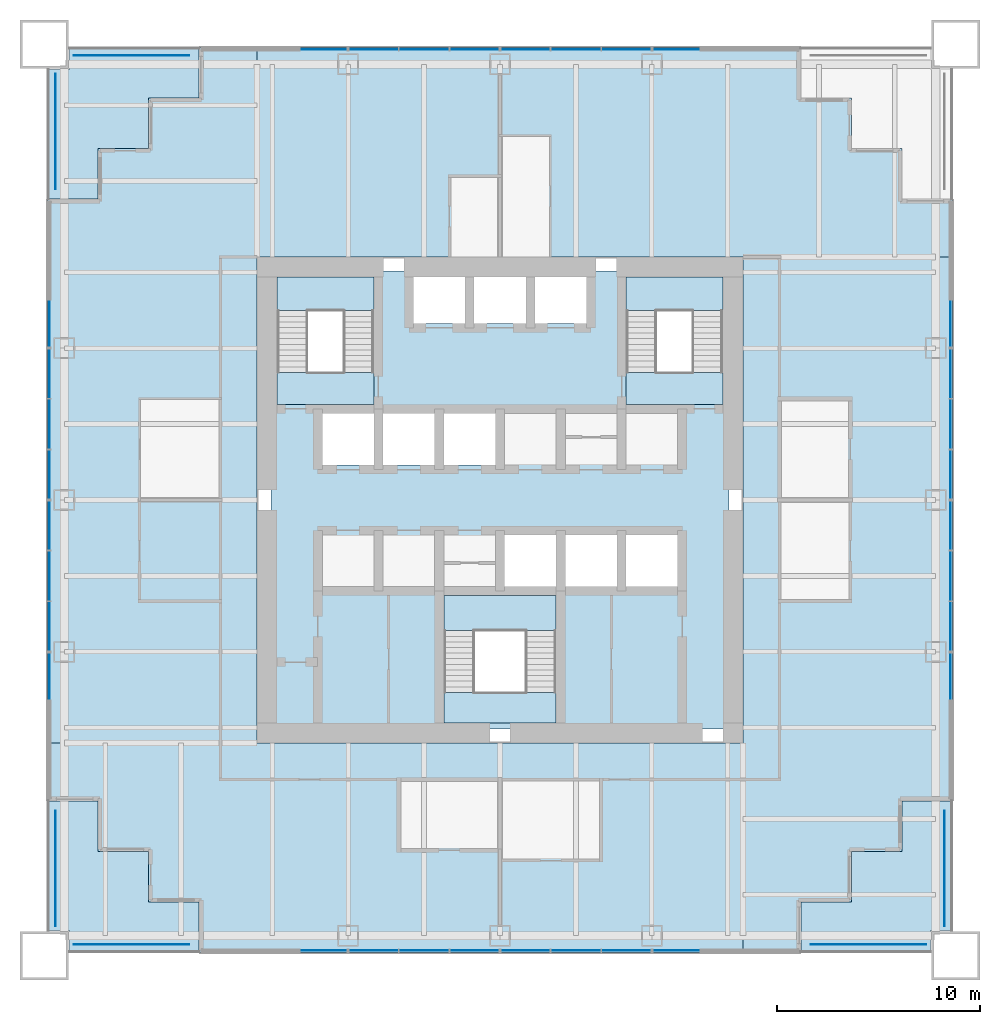
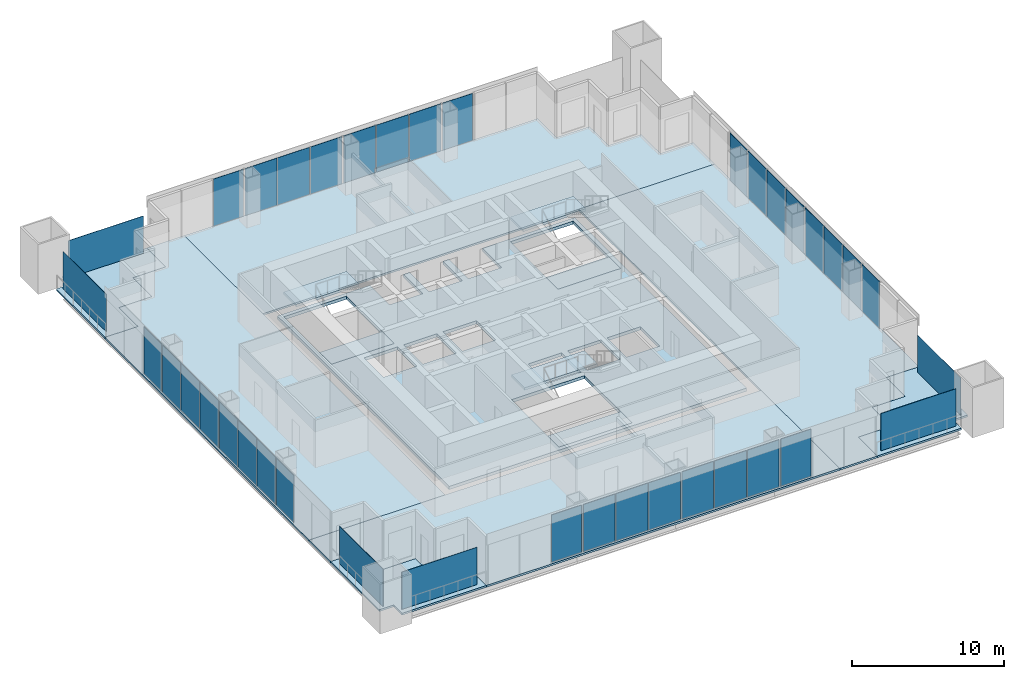
# One storey, part 7 of 13: 38 plates, 14 slabs, 19 elements without a shape of their own.
"""IFC4 building model written with IfcOpenShell, lengths in metres."""

import ifcopenshell
import ifcopenshell.guid

model = None  # the IFC model being written
_history = None  # IfcOwnerHistory: only IFC2X3 demands one
_inside = {}  # id of a spatial element -> (the spatial element, [elements in it])
_under = {}  # id of a project, library or spatial element -> (it, [spatial elements below it])
_declared = {}  # id of a project -> (the project, [libraries it declares])
_typed = {}  # id of a type object -> (the type object, [elements of that type])
_made_of = {}  # id of a material, layer set ... -> (it, [elements and type objects made of it])


def new_model(schema):
    """Start an empty IFC model of exactly this schema.

    Asked for "IFC4X3", IfcOpenShell would pick the latest addendum, in which some entities
    have other attributes; the version numbers below select the first issue.
    IFC2X3 requires an IfcOwnerHistory on every rooted entity: one is made here for all.
    """
    global model, _history
    if schema == "IFC4X3":
        model = ifcopenshell.file(schema_version=(4, 3, 0, 0))
    else:
        model = ifcopenshell.file(schema=schema)
    _inside.clear()
    _under.clear()
    _declared.clear()
    _typed.clear()
    _made_of.clear()
    _history = None
    if model.schema == "IFC2X3":
        org = make("IfcOrganization", Name="unknown")
        user = make(
            "IfcPersonAndOrganization",
            ThePerson=make("IfcPerson", FamilyName="unknown"),
            TheOrganization=org,
        )
        app = make(
            "IfcApplication",
            ApplicationDeveloper=org,
            Version="unknown",
            ApplicationFullName="unknown",
            ApplicationIdentifier="unknown",
        )
        _history = make(
            "IfcOwnerHistory",
            OwningUser=user,
            OwningApplication=app,
            ChangeAction="ADDED",
            CreationDate=0,
        )
    return model


def make(cls, **values):
    """One entity of the class cls with the attributes given. An attribute that is None is left unset."""
    return model.create_entity(
        cls, **{name: value for name, value in values.items() if value is not None}
    )


def rooted(cls, **values):
    """An entity with a GlobalId (a new one), such as an element, a storey or a relation."""
    return make(cls, GlobalId=ifcopenshell.guid.new(), OwnerHistory=_history, **values)


def si_unit(unit_type, name, prefix=None):
    """IfcSIUnit, for example si_unit("LENGTHUNIT", "METRE", prefix="MILLI")."""
    return make("IfcSIUnit", UnitType=unit_type, Prefix=prefix, Name=name)


def assignment(units):
    """IfcUnitAssignment: the units of a project."""
    return None if units is None else make("IfcUnitAssignment", Units=units)


def point(xyz):
    """IfcCartesianPoint."""
    return None if xyz is None else make("IfcCartesianPoint", Coordinates=xyz)


def direction(xyz):
    """IfcDirection."""
    return None if xyz is None else make("IfcDirection", DirectionRatios=xyz)


def frame(location, z_axis=None, x_axis=None):
    """IfcAxis2Placement3D, a coordinate frame: its origin and axes. An axis left out is left unset."""
    return make(
        "IfcAxis2Placement3D",
        Location=point(location),
        Axis=direction(z_axis),
        RefDirection=direction(x_axis),
    )


def frame_2d(location, x_axis=None):
    """IfcAxis2Placement2D, a coordinate frame in the plane: its origin and x axis."""
    return make(
        "IfcAxis2Placement2D", Location=point(location), RefDirection=direction(x_axis)
    )


def origin():
    """The frame at (0, 0, 0) with its axes left unset."""
    return frame((0.0, 0.0, 0.0))


def origin_2d():
    """The frame at (0, 0) in the plane with its x axis left unset."""
    return frame_2d((0.0, 0.0))


def place(relative_to, where):
    """IfcLocalPlacement: puts the frame where relative to a parent placement (None: the world)."""
    return make(
        "IfcLocalPlacement", PlacementRelTo=relative_to, RelativePlacement=where
    )


def context(
    kind, dimensions, precision=None, world=None, true_north=None, identifier=None
):
    """IfcGeometricRepresentationContext, for example the 3D "Model" context."""
    return make(
        "IfcGeometricRepresentationContext",
        ContextIdentifier=identifier,
        ContextType=kind,
        CoordinateSpaceDimension=dimensions,
        Precision=precision,
        WorldCoordinateSystem=world,
        TrueNorth=true_north,
    )


def subcontext(parent, identifier, kind, view, scale=None):
    """IfcGeometricRepresentationSubContext, for example "Body" below "Model"."""
    return make(
        "IfcGeometricRepresentationSubContext",
        ContextIdentifier=identifier,
        ContextType=kind,
        ParentContext=parent,
        TargetScale=scale,
        TargetView=view,
    )


def project(units=None, contexts=None):
    """IfcProject with its units and contexts."""
    return rooted(
        "IfcProject",
        Name="project",
        RepresentationContexts=contexts,
        UnitsInContext=assignment(units),
    )


def spatial(cls, under=None, at=None, **own):
    """A site, building, storey or space (cls), placed at a placement, below another one or the project."""
    s = rooted(cls, ObjectPlacement=at, **own)
    if under is not None:
        _under.setdefault(under.id(), (under, []))[1].append(s)
    return s


def polyline(points):
    """IfcPolyline through the points."""
    return make("IfcPolyline", Points=[point(p) for p in points])


def profile(cls, at=None, kind="AREA", **sizes):
    """A parametric profile (cls). Its sizes go by their IFC names, for example OverallWidth=200.0."""
    return make(cls, ProfileType=kind, Position=at, **sizes)


def rectangle(**sizes):
    """IfcRectangleProfileDef."""
    return profile("IfcRectangleProfileDef", **sizes)


def outline(outer, holes=None, kind="AREA"):
    """IfcArbitraryClosedProfileDef: a profile drawn as a closed curve; with holes, ...WithVoids."""
    if holes is None:
        return make("IfcArbitraryClosedProfileDef", ProfileType=kind, OuterCurve=outer)
    return make(
        "IfcArbitraryProfileDefWithVoids",
        ProfileType=kind,
        OuterCurve=outer,
        InnerCurves=holes,
    )


def extrude(swept, where, along, depth):
    """IfcExtrudedAreaSolid: the profile swept, set in the frame where, extruded along a direction by depth."""
    return make(
        "IfcExtrudedAreaSolid",
        SweptArea=swept,
        Position=where,
        ExtrudedDirection=direction(along),
        Depth=depth,
    )


def shape(context_of_items, identifier, shape_type, items):
    """IfcShapeRepresentation: the items that make up one representation, for example the "Body"."""
    return make(
        "IfcShapeRepresentation",
        ContextOfItems=context_of_items,
        RepresentationIdentifier=identifier,
        RepresentationType=shape_type,
        Items=items,
    )


def material(Name=None, Category=None):
    """IfcMaterial."""
    return make("IfcMaterial", Name=Name, Category=Category)


def layer(
    of_material, thickness, ventilated=None, Name=None, Category=None, Priority=None
):
    """IfcMaterialLayer: one layer of a wall or slab, of a material (None: an air gap)."""
    return make(
        "IfcMaterialLayer",
        Material=of_material,
        LayerThickness=thickness,
        IsVentilated=ventilated,
        Name=Name,
        Category=Category,
        Priority=Priority,
    )


def layer_set(layers, Name=None):
    """IfcMaterialLayerSet."""
    return make("IfcMaterialLayerSet", MaterialLayers=layers, LayerSetName=Name)


def made_of(thing, what):
    """Note that an element or type object is made of a material, layer set ...; save() writes the relation."""
    if what is not None:
        _made_of.setdefault(what.id(), (what, []))[1].append(thing)
    return thing


def type_object(cls, material=None, **own):
    """A type object (cls), such as IfcWallType, which elements share."""
    return made_of(rooted(cls, **own), material)


def element(
    cls,
    number,
    at=None,
    inside=None,
    cuts=None,
    type_object=None,
    material=None,
    context=None,
    identifier="Body",
    shape_type=None,
    held_by="IfcProductDefinitionShape",
    body=None,
    shapes=None,
    **own,
):
    """One element of the class cls, such as IfcWall. Its Tag is "e" and its number.

    at: its placement. inside: the storey or other place that contains it. cuts: it is an
    opening in that element (IfcRelVoidsElement). A single representation is given by context,
    identifier, shape_type and body (its items); several are given by shapes. held_by: the class
    of the entity that holds the representations. save() writes the other relations.
    """
    e = rooted(cls, Tag="e%d" % number, ObjectPlacement=at, **own)
    if body is not None:
        shapes = [shape(context, identifier, shape_type, body)]
    if shapes is not None:
        e.Representation = make(held_by, Representations=shapes)
    if inside is not None:
        _inside.setdefault(inside.id(), (inside, []))[1].append(e)
    if cuts is not None:
        rooted(
            "IfcRelVoidsElement", RelatingBuildingElement=cuts, RelatedOpeningElement=e
        )
    if type_object is not None:
        _typed.setdefault(type_object.id(), (type_object, []))[1].append(e)
    return made_of(e, material)


def aggregate(whole, parts):
    """IfcRelAggregates: a whole, such as a stair, and the parts it consists of."""
    return rooted("IfcRelAggregates", RelatingObject=whole, RelatedObjects=parts)


def save(model, path):
    """Write the relations noted so far, then the file.

    IfcRelAggregates (storeys below a building ...), IfcRelContainedInSpatialStructure (elements
    in a storey), IfcRelDefinesByType, IfcRelAssociatesMaterial and IfcRelDeclares: one each for
    every whole, place, type object, material and project.
    """
    for whole, parts in _under.values():
        aggregate(whole, parts)
    for where, things in _inside.values():
        rooted(
            "IfcRelContainedInSpatialStructure",
            RelatedElements=things,
            RelatingStructure=where,
        )
    for kind, things in _typed.values():
        rooted("IfcRelDefinesByType", RelatedObjects=things, RelatingType=kind)
    for what, things in _made_of.values():
        rooted("IfcRelAssociatesMaterial", RelatedObjects=things, RelatingMaterial=what)
    for by, libraries in _declared.values():
        rooted("IfcRelDeclares", RelatingContext=by, RelatedDefinitions=libraries)
    model.write(path)


model = new_model("IFC4")

# Units and contexts
model_context = context("Model", 3, precision=1e-05, world=origin(), true_north=direction((0.0, 1.0)))
body_context = subcontext(model_context, "Body", "Model", "MODEL_VIEW")
ifc_project = project(units=[si_unit("LENGTHUNIT", "METRE"), si_unit("AREAUNIT", "SQUARE_METRE"), si_unit("VOLUMEUNIT", "CUBIC_METRE"), si_unit("PLANEANGLEUNIT", "RADIAN"), si_unit("MASSUNIT", "GRAM", prefix="KILO")], contexts=[model_context])

# Site, building, storey
site_placement = place(None, origin())
site = spatial("IfcSite", under=ifc_project, at=site_placement, CompositionType="ELEMENT")
building_placement = place(site_placement, origin())
building = spatial("IfcBuilding", under=site, at=building_placement, Name="Tarangal Relay Tower", CompositionType="ELEMENT")
storey_placement = place(building_placement, frame((0.0, 0.0, 221.89990234375)))
storey = spatial("IfcBuildingStorey", under=building, at=storey_placement, Name="L47", CompositionType="ELEMENT", Elevation=221.89990234375)

# Slabs
ifc_material_1 = material(Name="Concrete fc' 35 MPa", Category="concrete")
ifc_layer_1 = layer(ifc_material_1, 0.25)
ifc_layer_set_1 = layer_set([ifc_layer_1], Name="Core floor slab 250")
slab_type_1 = type_object("IfcSlabType", Name="Core floor slab 250", PredefinedType="FLOOR", material=ifc_layer_set_1)
slab_1_placement = place(storey_placement, frame((0.0, 0.0, -0.25)))
element("IfcSlab", 1, at=slab_1_placement, inside=storey, type_object=slab_type_1, Name="Core floor slab L47", PredefinedType="FLOOR", context=body_context, shape_type="SweptSolid", body=[
    extrude(outline(polyline([(11.300048828125, 11.300048828125), (11.300048828125, -11.300048828125), (-11.300048828125, -11.300048828125), (-11.300048828125, 11.300048828125), (-4.27490234375, 11.300048828125), (-4.27490234375, 8.72509765625), (-1.72509765625, 8.72509765625), (-1.72509765625, 11.300048828125), (-1.27490234375, 11.300048828125), (-1.27490234375, 8.72509765625), (1.27490234375, 8.72509765625), (1.27490234375, 11.300048828125), (1.72509765625, 11.300048828125), (1.72509765625, 8.72509765625), (4.27490234375, 8.72509765625), (4.27490234375, 11.300048828125), (11.300048828125, 11.300048828125)]), holes=[polyline([(-6.22509765625, 4.27490234375), (-8.77490234375, 4.27490234375), (-8.77490234375, 1.72509765625), (-6.22509765625, 1.72509765625), (-6.22509765625, 4.27490234375)]), polyline([(-3.22509765625, 1.72509765625), (-3.22509765625, 4.27490234375), (-5.77490234375, 4.27490234375), (-5.77490234375, 1.72509765625), (-3.22509765625, 1.72509765625)]), polyline([(-0.22509765625, 1.72509765625), (-0.22509765625, 4.27490234375), (-2.77490234375, 4.27490234375), (-2.77490234375, 1.72509765625), (-0.22509765625, 1.72509765625)]), polyline([(-6.22509765625, 11.0), (-11.0, 11.0), (-11.0, 4.72509765625), (-6.22509765625, 4.72509765625), (-6.22509765625, 11.0)]), polyline([(2.77490234375, -4.72509765625), (-2.77490234375, -4.72509765625), (-2.77490234375, -11.0), (2.77490234375, -11.0), (2.77490234375, -4.72509765625)]), polyline([(2.77490234375, -4.27490234375), (2.77490234375, -1.72509765625), (0.22509765625, -1.72509765625), (0.22509765625, -4.27490234375), (2.77490234375, -4.27490234375)]), polyline([(5.77490234375, -4.27490234375), (5.77490234375, -1.72509765625), (3.22509765625, -1.72509765625), (3.22509765625, -4.27490234375), (5.77490234375, -4.27490234375)]), polyline([(8.77490234375, -1.72509765625), (6.22509765625, -1.72509765625), (6.22509765625, -4.27490234375), (8.77490234375, -4.27490234375), (8.77490234375, -1.72509765625)]), polyline([(11.0, 4.72509765625), (11.0, 11.0), (6.22509765625, 11.0), (6.22509765625, 4.72509765625), (11.0, 4.72509765625)])]), origin(), (0.0, 0.0, 1.0), 0.25),
])
ifc_layer_2 = layer(ifc_material_1, 0.14990234375)
ifc_layer_set_2 = layer_set([ifc_layer_2], Name="Floor slab 150")
slab_type_2 = type_object("IfcSlabType", Name="Floor slab 150", PredefinedType="FLOOR", material=ifc_layer_set_2)
slab_2_placement = place(storey_placement, frame((0.0, 0.0, -0.14990234375)))
element("IfcSlab", 2, at=slab_2_placement, inside=storey, type_object=slab_type_2, Name="Floor slab FS3 L47 north bay", PredefinedType="FLOOR", context=body_context, shape_type="SweptSolid", body=[
    extrude(outline(polyline([(14.85009765625, 22.35009765625), (14.85009765625, 19.85009765625), (17.35009765625, 19.85009765625), (17.35009765625, 17.35009765625), (19.85009765625, 17.35009765625), (19.85009765625, 14.85009765625), (22.35009765625, 14.85009765625), (22.35009765625, 12.0), (-12.0, 12.0), (-12.0, 22.35009765625), (14.85009765625, 22.35009765625)])), origin(), (0.0, 0.0, 1.0), 0.14990234375),
])
slab_3_placement = place(storey_placement, frame((0.0, 0.0, -0.14990234375)))
element("IfcSlab", 3, at=slab_3_placement, inside=storey, type_object=slab_type_2, Name="Floor slab FS3 L47 east bay", PredefinedType="FLOOR", context=body_context, shape_type="SweptSolid", body=[
    extrude(outline(polyline([(22.35009765625, -14.85009765625), (19.85009765625, -14.85009765625), (19.85009765625, -17.35009765625), (17.35009765625, -17.35009765625), (17.35009765625, -19.85009765625), (14.85009765625, -19.85009765625), (14.85009765625, -22.35009765625), (12.0, -22.35009765625), (12.0, 12.0), (22.35009765625, 12.0), (22.35009765625, -14.85009765625)])), origin(), (0.0, 0.0, 1.0), 0.14990234375),
])
slab_4_placement = place(storey_placement, frame((0.0, 0.0, -0.14990234375)))
element("IfcSlab", 4, at=slab_4_placement, inside=storey, type_object=slab_type_2, Name="Floor slab FS3 L47 south bay", PredefinedType="FLOOR", context=body_context, shape_type="SweptSolid", body=[
    extrude(outline(polyline([(-14.85009765625, -22.35009765625), (-14.85009765625, -19.85009765625), (-17.35009765625, -19.85009765625), (-17.35009765625, -17.35009765625), (-19.85009765625, -17.35009765625), (-19.85009765625, -14.85009765625), (-22.35009765625, -14.85009765625), (-22.35009765625, -12.0), (12.0, -12.0), (12.0, -22.35009765625), (-14.85009765625, -22.35009765625)])), origin(), (0.0, 0.0, 1.0), 0.14990234375),
])
slab_5_placement = place(storey_placement, frame((0.0, 0.0, -0.14990234375)))
element("IfcSlab", 5, at=slab_5_placement, inside=storey, type_object=slab_type_2, Name="Floor slab FS3 L47 west bay", PredefinedType="FLOOR", context=body_context, shape_type="SweptSolid", body=[
    extrude(outline(polyline([(-12.0, 22.35009765625), (-12.0, -12.0), (-22.35009765625, -12.0), (-22.35009765625, 14.85009765625), (-19.85009765625, 14.85009765625), (-19.85009765625, 17.35009765625), (-17.35009765625, 17.35009765625), (-17.35009765625, 19.85009765625), (-14.85009765625, 19.85009765625), (-14.85009765625, 22.35009765625), (-12.0, 22.35009765625)])), origin(), (0.0, 0.0, 1.0), 0.14990234375),
])

# Curtain wall, plate
ifc_material_2 = material(Name="Unitised curtain wall, dark glass and black aluminium", Category="aluminium")
curtain_wall_type = type_object("IfcCurtainWallType", Name="Curtain wall CW-A", PredefinedType="USERDEFINED", material=ifc_material_2)
curtain_wall_1_placement = place(storey_placement, origin())
curtain_wall_1 = element("IfcCurtainWall", 6, at=curtain_wall_1_placement, inside=storey, type_object=curtain_wall_type, Name="Curtain wall CW-A N facade L47", ObjectType="UNITISED CURTAIN WALL", PredefinedType="USERDEFINED")
ifc_material_3 = material(Name="Dark tinted insulated glass unit", Category="glass")
ifc_layer_3 = layer(ifc_material_3, 0.031982421875)
ifc_layer_set_3 = layer_set([ifc_layer_3], Name="Glazed panel CW-A 32")
plate_type_1 = type_object("IfcPlateType", Name="Glazed panel CW-A 32", PredefinedType="CURTAIN_PANEL", material=ifc_layer_set_3)
plate_1_placement = place(storey_placement, frame((-8.708251953125, 22.25, 0.06494140625), z_axis=(0.0, 0.0, 1.0), x_axis=(1.0, 0.0, 0.0)))
plate_1 = element("IfcPlate", 7, at=plate_1_placement, type_object=plate_type_1, Name="CW-A panel 1.1", PredefinedType="CURTAIN_PANEL", context=body_context, shape_type="SweptSolid", body=[
    extrude(rectangle(XDim=2.28662109375, YDim=0.031982421875, at=origin_2d()), origin(), (0.0, 0.0, 1.0), 3.784912109375),
])
aggregate(curtain_wall_1, [plate_1])

# Curtain wall, plates
curtain_wall_2_placement = place(storey_placement, origin())
curtain_wall_2 = element("IfcCurtainWall", 8, at=curtain_wall_2_placement, inside=storey, type_object=curtain_wall_type, Name="Curtain wall CW-A N facade L47", ObjectType="UNITISED CURTAIN WALL", PredefinedType="USERDEFINED")
plate_2_placement = place(storey_placement, frame((-6.233642578125, 22.25, 0.06494140625), z_axis=(0.0, 0.0, 1.0), x_axis=(1.0, 0.0, 0.0)))
plate_2 = element("IfcPlate", 9, at=plate_2_placement, type_object=plate_type_1, Name="CW-A panel 1.1", PredefinedType="CURTAIN_PANEL", context=body_context, shape_type="SweptSolid", body=[
    extrude(rectangle(XDim=2.402587890625, YDim=0.031982421875, at=origin_2d()), origin(), (0.0, 0.0, 1.0), 3.784912109375),
])
plate_3_placement = place(storey_placement, frame((-3.75, 22.25, 0.06494140625), z_axis=(0.0, 0.0, 1.0), x_axis=(1.0, 0.0, 0.0)))
plate_3 = element("IfcPlate", 10, at=plate_3_placement, type_object=plate_type_1, Name="CW-A panel 2.1", PredefinedType="CURTAIN_PANEL", context=body_context, shape_type="SweptSolid", body=[
    extrude(rectangle(XDim=2.43505859375, YDim=0.031982421875, at=origin_2d()), origin(), (0.0, 0.0, 1.0), 3.784912109375),
])
plate_4_placement = place(storey_placement, frame((-1.266357421875, 22.25, 0.06494140625), z_axis=(0.0, 0.0, 1.0), x_axis=(1.0, 0.0, 0.0)))
plate_4 = element("IfcPlate", 11, at=plate_4_placement, type_object=plate_type_1, Name="CW-A panel 3.1", PredefinedType="CURTAIN_PANEL", context=body_context, shape_type="SweptSolid", body=[
    extrude(rectangle(XDim=2.402587890625, YDim=0.031982421875, at=origin_2d()), origin(), (0.0, 0.0, 1.0), 3.784912109375),
])
aggregate(curtain_wall_2, [plate_2, plate_3, plate_4])

curtain_wall_3_placement = place(storey_placement, origin())
curtain_wall_3 = element("IfcCurtainWall", 12, at=curtain_wall_3_placement, inside=storey, type_object=curtain_wall_type, Name="Curtain wall CW-A N facade L47", ObjectType="UNITISED CURTAIN WALL", PredefinedType="USERDEFINED")
plate_5_placement = place(storey_placement, frame((1.266357421875, 22.25, 0.06494140625), z_axis=(0.0, 0.0, 1.0), x_axis=(1.0, 0.0, 0.0)))
plate_5 = element("IfcPlate", 13, at=plate_5_placement, type_object=plate_type_1, Name="CW-A panel 1.1", PredefinedType="CURTAIN_PANEL", context=body_context, shape_type="SweptSolid", body=[
    extrude(rectangle(XDim=2.402587890625, YDim=0.031982421875, at=origin_2d()), origin(), (0.0, 0.0, 1.0), 3.784912109375),
])
plate_6_placement = place(storey_placement, frame((3.75, 22.25, 0.06494140625), z_axis=(0.0, 0.0, 1.0), x_axis=(1.0, 0.0, 0.0)))
plate_6 = element("IfcPlate", 14, at=plate_6_placement, type_object=plate_type_1, Name="CW-A panel 2.1", PredefinedType="CURTAIN_PANEL", context=body_context, shape_type="SweptSolid", body=[
    extrude(rectangle(XDim=2.43505859375, YDim=0.031982421875, at=origin_2d()), origin(), (0.0, 0.0, 1.0), 3.784912109375),
])
plate_7_placement = place(storey_placement, frame((6.233642578125, 22.25, 0.06494140625), z_axis=(0.0, 0.0, 1.0), x_axis=(1.0, 0.0, 0.0)))
plate_7 = element("IfcPlate", 15, at=plate_7_placement, type_object=plate_type_1, Name="CW-A panel 3.1", PredefinedType="CURTAIN_PANEL", context=body_context, shape_type="SweptSolid", body=[
    extrude(rectangle(XDim=2.402587890625, YDim=0.031982421875, at=origin_2d()), origin(), (0.0, 0.0, 1.0), 3.784912109375),
])
aggregate(curtain_wall_3, [plate_5, plate_6, plate_7])

# Curtain wall, plate
curtain_wall_4_placement = place(storey_placement, origin())
curtain_wall_4 = element("IfcCurtainWall", 16, at=curtain_wall_4_placement, inside=storey, type_object=curtain_wall_type, Name="Curtain wall CW-A N facade L47", ObjectType="UNITISED CURTAIN WALL", PredefinedType="USERDEFINED")
plate_8_placement = place(storey_placement, frame((8.708251953125, 22.25, 0.06494140625), z_axis=(0.0, 0.0, 1.0), x_axis=(1.0, 0.0, 0.0)))
plate_8 = element("IfcPlate", 17, at=plate_8_placement, type_object=plate_type_1, Name="CW-A panel 1.1", PredefinedType="CURTAIN_PANEL", context=body_context, shape_type="SweptSolid", body=[
    extrude(rectangle(XDim=2.28662109375, YDim=0.031982421875, at=origin_2d()), origin(), (0.0, 0.0, 1.0), 3.784912109375),
])
aggregate(curtain_wall_4, [plate_8])

curtain_wall_5_placement = place(storey_placement, origin())
curtain_wall_5 = element("IfcCurtainWall", 18, at=curtain_wall_5_placement, inside=storey, type_object=curtain_wall_type, Name="Curtain wall CW-A E facade L47", ObjectType="UNITISED CURTAIN WALL", PredefinedType="USERDEFINED")
plate_9_placement = place(storey_placement, frame((22.25, 8.708251953125, 0.06494140625), z_axis=(0.0, 0.0, 1.0), x_axis=(0.0, -1.0, 0.0)))
plate_9 = element("IfcPlate", 19, at=plate_9_placement, type_object=plate_type_1, Name="CW-A panel 1.1", PredefinedType="CURTAIN_PANEL", context=body_context, shape_type="SweptSolid", body=[
    extrude(rectangle(XDim=2.28662109375, YDim=0.031982421875, at=origin_2d()), origin(), (0.0, 0.0, 1.0), 3.784912109375),
])
aggregate(curtain_wall_5, [plate_9])

# Curtain wall, plates
curtain_wall_6_placement = place(storey_placement, origin())
curtain_wall_6 = element("IfcCurtainWall", 20, at=curtain_wall_6_placement, inside=storey, type_object=curtain_wall_type, Name="Curtain wall CW-A E facade L47", ObjectType="UNITISED CURTAIN WALL", PredefinedType="USERDEFINED")
plate_10_placement = place(storey_placement, frame((22.25, 6.233642578125, 0.06494140625), z_axis=(0.0, 0.0, 1.0), x_axis=(0.0, -1.0, 0.0)))
plate_10 = element("IfcPlate", 21, at=plate_10_placement, type_object=plate_type_1, Name="CW-A panel 1.1", PredefinedType="CURTAIN_PANEL", context=body_context, shape_type="SweptSolid", body=[
    extrude(rectangle(XDim=2.402587890625, YDim=0.031982421875, at=origin_2d()), origin(), (0.0, 0.0, 1.0), 3.784912109375),
])
plate_11_placement = place(storey_placement, frame((22.25, 3.75, 0.06494140625), z_axis=(0.0, 0.0, 1.0), x_axis=(0.0, -1.0, 0.0)))
plate_11 = element("IfcPlate", 22, at=plate_11_placement, type_object=plate_type_1, Name="CW-A panel 2.1", PredefinedType="CURTAIN_PANEL", context=body_context, shape_type="SweptSolid", body=[
    extrude(rectangle(XDim=2.43505859375, YDim=0.031982421875, at=origin_2d()), origin(), (0.0, 0.0, 1.0), 3.784912109375),
])
plate_12_placement = place(storey_placement, frame((22.25, 1.266357421875, 0.06494140625), z_axis=(0.0, 0.0, 1.0), x_axis=(0.0, -1.0, 0.0)))
plate_12 = element("IfcPlate", 23, at=plate_12_placement, type_object=plate_type_1, Name="CW-A panel 3.1", PredefinedType="CURTAIN_PANEL", context=body_context, shape_type="SweptSolid", body=[
    extrude(rectangle(XDim=2.402587890625, YDim=0.031982421875, at=origin_2d()), origin(), (0.0, 0.0, 1.0), 3.784912109375),
])
aggregate(curtain_wall_6, [plate_10, plate_11, plate_12])

curtain_wall_7_placement = place(storey_placement, origin())
curtain_wall_7 = element("IfcCurtainWall", 24, at=curtain_wall_7_placement, inside=storey, type_object=curtain_wall_type, Name="Curtain wall CW-A E facade L47", ObjectType="UNITISED CURTAIN WALL", PredefinedType="USERDEFINED")
plate_13_placement = place(storey_placement, frame((22.25, -1.266357421875, 0.06494140625), z_axis=(0.0, 0.0, 1.0), x_axis=(0.0, -1.0, 0.0)))
plate_13 = element("IfcPlate", 25, at=plate_13_placement, type_object=plate_type_1, Name="CW-A panel 1.1", PredefinedType="CURTAIN_PANEL", context=body_context, shape_type="SweptSolid", body=[
    extrude(rectangle(XDim=2.402587890625, YDim=0.031982421875, at=origin_2d()), origin(), (0.0, 0.0, 1.0), 3.784912109375),
])
plate_14_placement = place(storey_placement, frame((22.25, -3.75, 0.06494140625), z_axis=(0.0, 0.0, 1.0), x_axis=(0.0, -1.0, 0.0)))
plate_14 = element("IfcPlate", 26, at=plate_14_placement, type_object=plate_type_1, Name="CW-A panel 2.1", PredefinedType="CURTAIN_PANEL", context=body_context, shape_type="SweptSolid", body=[
    extrude(rectangle(XDim=2.43505859375, YDim=0.031982421875, at=origin_2d()), origin(), (0.0, 0.0, 1.0), 3.784912109375),
])
plate_15_placement = place(storey_placement, frame((22.25, -6.233642578125, 0.06494140625), z_axis=(0.0, 0.0, 1.0), x_axis=(0.0, -1.0, 0.0)))
plate_15 = element("IfcPlate", 27, at=plate_15_placement, type_object=plate_type_1, Name="CW-A panel 3.1", PredefinedType="CURTAIN_PANEL", context=body_context, shape_type="SweptSolid", body=[
    extrude(rectangle(XDim=2.402587890625, YDim=0.031982421875, at=origin_2d()), origin(), (0.0, 0.0, 1.0), 3.784912109375),
])
aggregate(curtain_wall_7, [plate_13, plate_14, plate_15])

# Curtain wall, plate
curtain_wall_8_placement = place(storey_placement, origin())
curtain_wall_8 = element("IfcCurtainWall", 28, at=curtain_wall_8_placement, inside=storey, type_object=curtain_wall_type, Name="Curtain wall CW-A E facade L47", ObjectType="UNITISED CURTAIN WALL", PredefinedType="USERDEFINED")
plate_16_placement = place(storey_placement, frame((22.25, -8.708251953125, 0.06494140625), z_axis=(0.0, 0.0, 1.0), x_axis=(0.0, -1.0, 0.0)))
plate_16 = element("IfcPlate", 29, at=plate_16_placement, type_object=plate_type_1, Name="CW-A panel 1.1", PredefinedType="CURTAIN_PANEL", context=body_context, shape_type="SweptSolid", body=[
    extrude(rectangle(XDim=2.28662109375, YDim=0.031982421875, at=origin_2d()), origin(), (0.0, 0.0, 1.0), 3.784912109375),
])
aggregate(curtain_wall_8, [plate_16])

curtain_wall_9_placement = place(storey_placement, origin())
curtain_wall_9 = element("IfcCurtainWall", 30, at=curtain_wall_9_placement, inside=storey, type_object=curtain_wall_type, Name="Curtain wall CW-A S facade L47", ObjectType="UNITISED CURTAIN WALL", PredefinedType="USERDEFINED")
plate_17_placement = place(storey_placement, frame((8.708251953125, -22.25, 0.06494140625), z_axis=(0.0, 0.0, 1.0), x_axis=(-1.0, 0.0, 0.0)))
plate_17 = element("IfcPlate", 31, at=plate_17_placement, type_object=plate_type_1, Name="CW-A panel 1.1", PredefinedType="CURTAIN_PANEL", context=body_context, shape_type="SweptSolid", body=[
    extrude(rectangle(XDim=2.28662109375, YDim=0.031982421875, at=origin_2d()), origin(), (0.0, 0.0, 1.0), 3.784912109375),
])
aggregate(curtain_wall_9, [plate_17])

# Curtain wall, plates
curtain_wall_10_placement = place(storey_placement, origin())
curtain_wall_10 = element("IfcCurtainWall", 32, at=curtain_wall_10_placement, inside=storey, type_object=curtain_wall_type, Name="Curtain wall CW-A S facade L47", ObjectType="UNITISED CURTAIN WALL", PredefinedType="USERDEFINED")
plate_18_placement = place(storey_placement, frame((6.233642578125, -22.25, 0.06494140625), z_axis=(0.0, 0.0, 1.0), x_axis=(-1.0, 0.0, 0.0)))
plate_18 = element("IfcPlate", 33, at=plate_18_placement, type_object=plate_type_1, Name="CW-A panel 1.1", PredefinedType="CURTAIN_PANEL", context=body_context, shape_type="SweptSolid", body=[
    extrude(rectangle(XDim=2.402587890625, YDim=0.031982421875, at=origin_2d()), origin(), (0.0, 0.0, 1.0), 3.784912109375),
])
plate_19_placement = place(storey_placement, frame((3.75, -22.25, 0.06494140625), z_axis=(0.0, 0.0, 1.0), x_axis=(-1.0, 0.0, 0.0)))
plate_19 = element("IfcPlate", 34, at=plate_19_placement, type_object=plate_type_1, Name="CW-A panel 2.1", PredefinedType="CURTAIN_PANEL", context=body_context, shape_type="SweptSolid", body=[
    extrude(rectangle(XDim=2.43505859375, YDim=0.031982421875, at=origin_2d()), origin(), (0.0, 0.0, 1.0), 3.784912109375),
])
plate_20_placement = place(storey_placement, frame((1.266357421875, -22.25, 0.06494140625), z_axis=(0.0, 0.0, 1.0), x_axis=(-1.0, 0.0, 0.0)))
plate_20 = element("IfcPlate", 35, at=plate_20_placement, type_object=plate_type_1, Name="CW-A panel 3.1", PredefinedType="CURTAIN_PANEL", context=body_context, shape_type="SweptSolid", body=[
    extrude(rectangle(XDim=2.402587890625, YDim=0.031982421875, at=origin_2d()), origin(), (0.0, 0.0, 1.0), 3.784912109375),
])
aggregate(curtain_wall_10, [plate_18, plate_19, plate_20])

curtain_wall_11_placement = place(storey_placement, origin())
curtain_wall_11 = element("IfcCurtainWall", 36, at=curtain_wall_11_placement, inside=storey, type_object=curtain_wall_type, Name="Curtain wall CW-A S facade L47", ObjectType="UNITISED CURTAIN WALL", PredefinedType="USERDEFINED")
plate_21_placement = place(storey_placement, frame((-1.266357421875, -22.25, 0.06494140625), z_axis=(0.0, 0.0, 1.0), x_axis=(-1.0, 0.0, 0.0)))
plate_21 = element("IfcPlate", 37, at=plate_21_placement, type_object=plate_type_1, Name="CW-A panel 1.1", PredefinedType="CURTAIN_PANEL", context=body_context, shape_type="SweptSolid", body=[
    extrude(rectangle(XDim=2.402587890625, YDim=0.031982421875, at=origin_2d()), origin(), (0.0, 0.0, 1.0), 3.784912109375),
])
plate_22_placement = place(storey_placement, frame((-3.75, -22.25, 0.06494140625), z_axis=(0.0, 0.0, 1.0), x_axis=(-1.0, 0.0, 0.0)))
plate_22 = element("IfcPlate", 38, at=plate_22_placement, type_object=plate_type_1, Name="CW-A panel 2.1", PredefinedType="CURTAIN_PANEL", context=body_context, shape_type="SweptSolid", body=[
    extrude(rectangle(XDim=2.43505859375, YDim=0.031982421875, at=origin_2d()), origin(), (0.0, 0.0, 1.0), 3.784912109375),
])
plate_23_placement = place(storey_placement, frame((-6.233642578125, -22.25, 0.06494140625), z_axis=(0.0, 0.0, 1.0), x_axis=(-1.0, 0.0, 0.0)))
plate_23 = element("IfcPlate", 39, at=plate_23_placement, type_object=plate_type_1, Name="CW-A panel 3.1", PredefinedType="CURTAIN_PANEL", context=body_context, shape_type="SweptSolid", body=[
    extrude(rectangle(XDim=2.402587890625, YDim=0.031982421875, at=origin_2d()), origin(), (0.0, 0.0, 1.0), 3.784912109375),
])
aggregate(curtain_wall_11, [plate_21, plate_22, plate_23])

# Curtain wall, plate
curtain_wall_12_placement = place(storey_placement, origin())
curtain_wall_12 = element("IfcCurtainWall", 40, at=curtain_wall_12_placement, inside=storey, type_object=curtain_wall_type, Name="Curtain wall CW-A S facade L47", ObjectType="UNITISED CURTAIN WALL", PredefinedType="USERDEFINED")
plate_24_placement = place(storey_placement, frame((-8.708251953125, -22.25, 0.06494140625), z_axis=(0.0, 0.0, 1.0), x_axis=(-1.0, 0.0, 0.0)))
plate_24 = element("IfcPlate", 41, at=plate_24_placement, type_object=plate_type_1, Name="CW-A panel 1.1", PredefinedType="CURTAIN_PANEL", context=body_context, shape_type="SweptSolid", body=[
    extrude(rectangle(XDim=2.28662109375, YDim=0.031982421875, at=origin_2d()), origin(), (0.0, 0.0, 1.0), 3.784912109375),
])
aggregate(curtain_wall_12, [plate_24])

curtain_wall_13_placement = place(storey_placement, origin())
curtain_wall_13 = element("IfcCurtainWall", 42, at=curtain_wall_13_placement, inside=storey, type_object=curtain_wall_type, Name="Curtain wall CW-A W facade L47", ObjectType="UNITISED CURTAIN WALL", PredefinedType="USERDEFINED")
plate_25_placement = place(storey_placement, frame((-22.25, -8.708251953125, 0.06494140625), z_axis=(0.0, 0.0, 1.0), x_axis=(0.0, 1.0, 0.0)))
plate_25 = element("IfcPlate", 43, at=plate_25_placement, type_object=plate_type_1, Name="CW-A panel 1.1", PredefinedType="CURTAIN_PANEL", context=body_context, shape_type="SweptSolid", body=[
    extrude(rectangle(XDim=2.28662109375, YDim=0.031982421875, at=origin_2d()), origin(), (0.0, 0.0, 1.0), 3.784912109375),
])
aggregate(curtain_wall_13, [plate_25])

# Curtain wall, plates
curtain_wall_14_placement = place(storey_placement, origin())
curtain_wall_14 = element("IfcCurtainWall", 44, at=curtain_wall_14_placement, inside=storey, type_object=curtain_wall_type, Name="Curtain wall CW-A W facade L47", ObjectType="UNITISED CURTAIN WALL", PredefinedType="USERDEFINED")
plate_26_placement = place(storey_placement, frame((-22.25, -6.233642578125, 0.06494140625), z_axis=(0.0, 0.0, 1.0), x_axis=(0.0, 1.0, 0.0)))
plate_26 = element("IfcPlate", 45, at=plate_26_placement, type_object=plate_type_1, Name="CW-A panel 1.1", PredefinedType="CURTAIN_PANEL", context=body_context, shape_type="SweptSolid", body=[
    extrude(rectangle(XDim=2.402587890625, YDim=0.031982421875, at=origin_2d()), origin(), (0.0, 0.0, 1.0), 3.784912109375),
])
plate_27_placement = place(storey_placement, frame((-22.25, -3.75, 0.06494140625), z_axis=(0.0, 0.0, 1.0), x_axis=(0.0, 1.0, 0.0)))
plate_27 = element("IfcPlate", 46, at=plate_27_placement, type_object=plate_type_1, Name="CW-A panel 2.1", PredefinedType="CURTAIN_PANEL", context=body_context, shape_type="SweptSolid", body=[
    extrude(rectangle(XDim=2.43505859375, YDim=0.031982421875, at=origin_2d()), origin(), (0.0, 0.0, 1.0), 3.784912109375),
])
plate_28_placement = place(storey_placement, frame((-22.25, -1.266357421875, 0.06494140625), z_axis=(0.0, 0.0, 1.0), x_axis=(0.0, 1.0, 0.0)))
plate_28 = element("IfcPlate", 47, at=plate_28_placement, type_object=plate_type_1, Name="CW-A panel 3.1", PredefinedType="CURTAIN_PANEL", context=body_context, shape_type="SweptSolid", body=[
    extrude(rectangle(XDim=2.402587890625, YDim=0.031982421875, at=origin_2d()), origin(), (0.0, 0.0, 1.0), 3.784912109375),
])
aggregate(curtain_wall_14, [plate_26, plate_27, plate_28])

curtain_wall_15_placement = place(storey_placement, origin())
curtain_wall_15 = element("IfcCurtainWall", 48, at=curtain_wall_15_placement, inside=storey, type_object=curtain_wall_type, Name="Curtain wall CW-A W facade L47", ObjectType="UNITISED CURTAIN WALL", PredefinedType="USERDEFINED")
plate_29_placement = place(storey_placement, frame((-22.25, 1.266357421875, 0.06494140625), z_axis=(0.0, 0.0, 1.0), x_axis=(0.0, 1.0, 0.0)))
plate_29 = element("IfcPlate", 49, at=plate_29_placement, type_object=plate_type_1, Name="CW-A panel 1.1", PredefinedType="CURTAIN_PANEL", context=body_context, shape_type="SweptSolid", body=[
    extrude(rectangle(XDim=2.402587890625, YDim=0.031982421875, at=origin_2d()), origin(), (0.0, 0.0, 1.0), 3.784912109375),
])
plate_30_placement = place(storey_placement, frame((-22.25, 3.75, 0.06494140625), z_axis=(0.0, 0.0, 1.0), x_axis=(0.0, 1.0, 0.0)))
plate_30 = element("IfcPlate", 50, at=plate_30_placement, type_object=plate_type_1, Name="CW-A panel 2.1", PredefinedType="CURTAIN_PANEL", context=body_context, shape_type="SweptSolid", body=[
    extrude(rectangle(XDim=2.43505859375, YDim=0.031982421875, at=origin_2d()), origin(), (0.0, 0.0, 1.0), 3.784912109375),
])
plate_31_placement = place(storey_placement, frame((-22.25, 6.233642578125, 0.06494140625), z_axis=(0.0, 0.0, 1.0), x_axis=(0.0, 1.0, 0.0)))
plate_31 = element("IfcPlate", 51, at=plate_31_placement, type_object=plate_type_1, Name="CW-A panel 3.1", PredefinedType="CURTAIN_PANEL", context=body_context, shape_type="SweptSolid", body=[
    extrude(rectangle(XDim=2.402587890625, YDim=0.031982421875, at=origin_2d()), origin(), (0.0, 0.0, 1.0), 3.784912109375),
])
aggregate(curtain_wall_15, [plate_29, plate_30, plate_31])

# Curtain wall, plate
curtain_wall_16_placement = place(storey_placement, origin())
curtain_wall_16 = element("IfcCurtainWall", 52, at=curtain_wall_16_placement, inside=storey, type_object=curtain_wall_type, Name="Curtain wall CW-A W facade L47", ObjectType="UNITISED CURTAIN WALL", PredefinedType="USERDEFINED")
plate_32_placement = place(storey_placement, frame((-22.25, 8.708251953125, 0.06494140625), z_axis=(0.0, 0.0, 1.0), x_axis=(0.0, 1.0, 0.0)))
plate_32 = element("IfcPlate", 53, at=plate_32_placement, type_object=plate_type_1, Name="CW-A panel 1.1", PredefinedType="CURTAIN_PANEL", context=body_context, shape_type="SweptSolid", body=[
    extrude(rectangle(XDim=2.28662109375, YDim=0.031982421875, at=origin_2d()), origin(), (0.0, 0.0, 1.0), 3.784912109375),
])
aggregate(curtain_wall_16, [plate_32])

# Plates
ifc_material_4 = material(Name="Black stainless steel cable trellis with climbing planting", Category="steel")
ifc_layer_4 = layer(ifc_material_4, 0.030029296875)
ifc_layer_set_4 = layer_set([ifc_layer_4], Name="Planted trellis screen")
plate_type_2 = type_object("IfcPlateType", Name="Planted trellis screen", PredefinedType="SHEET", material=ifc_layer_set_4)
for number, where, z_axis, x_axis, name in (
    (54, (18.199951171875, -21.949951171875, 0.0), (0.0, 0.0, 1.0), (-1.0, 0.0, 0.0), "Planted trellis SC2 SE L47"),
    (55, (-21.949951171875, -18.199951171875, 0.0), (0.0, 0.0, 1.0), (0.0, 1.0, 0.0), "Planted trellis SC2 SW L47"),
    (56, (-18.199951171875, 21.949951171875, 0.0), (0.0, 0.0, 1.0), (1.0, 0.0, 0.0), "Planted trellis SC2 NW L47"),
):
    element("IfcPlate", number, at=place(storey_placement, frame(where, z_axis=z_axis, x_axis=x_axis)), inside=storey, type_object=plate_type_2, Name=name, PredefinedType="SHEET", context=body_context, shape_type="SweptSolid", body=[
        extrude(rectangle(XDim=5.699951171875, YDim=0.030029296875, at=origin_2d()), origin(), (0.0, 0.0, 1.0), 3.0),
    ])

# Stair, slabs
ifc_material_5 = material(Name="Steel ASTM A992 stair flight", Category="steel")
stair_type = type_object("IfcStairType", Name="Core stair 1500", PredefinedType="HALF_TURN_STAIR", material=ifc_material_5)
stair_1_placement = place(storey_placement, origin())
stair_1 = element("IfcStair", 57, at=stair_1_placement, inside=storey, type_object=stair_type, Name="Stair ST-A L47", PredefinedType="HALF_TURN_STAIR")
ifc_layer_5 = layer(ifc_material_1, 0.199951171875)
ifc_layer_set_5 = layer_set([ifc_layer_5], Name="Stair landing 200")
slab_type_3 = type_object("IfcSlabType", Name="Stair landing 200", PredefinedType="LANDING", material=ifc_layer_set_5)
slab_6_placement = place(storey_placement, frame((0.0, 0.0, -0.199951171875)))
slab_6 = element("IfcSlab", 58, at=slab_6_placement, type_object=slab_type_3, Name="ST-A landing 1", PredefinedType="LANDING", context=body_context, shape_type="SweptSolid", body=[
    extrude(outline(polyline([(-11.0, 4.72509765625), (-6.22509765625, 4.72509765625), (-6.22509765625, 6.300048828125), (-11.0, 6.300048828125), (-11.0, 4.72509765625)])), origin(), (0.0, 0.0, 1.0), 0.199951171875),
])
slab_7_placement = place(storey_placement, frame((0.0, 0.0, 1.800048828125)))
slab_7 = element("IfcSlab", 59, at=slab_7_placement, type_object=slab_type_3, Name="ST-A landing 2", PredefinedType="LANDING", context=body_context, shape_type="SweptSolid", body=[
    extrude(outline(polyline([(-11.0, 9.346923828125), (-6.22509765625, 9.346923828125), (-6.22509765625, 11.0), (-11.0, 11.0), (-11.0, 9.346923828125)])), origin(), (0.0, 0.0, 1.0), 0.199951171875),
])
aggregate(stair_1, [slab_6, slab_7])

stair_2_placement = place(storey_placement, origin())
stair_2 = element("IfcStair", 60, at=stair_2_placement, inside=storey, type_object=stair_type, Name="Stair ST-B L47", PredefinedType="HALF_TURN_STAIR")
slab_8_placement = place(storey_placement, frame((0.0, 0.0, -0.199951171875)))
slab_8 = element("IfcSlab", 61, at=slab_8_placement, type_object=slab_type_3, Name="ST-B landing 1", PredefinedType="LANDING", context=body_context, shape_type="SweptSolid", body=[
    extrude(outline(polyline([(6.22509765625, 4.72509765625), (11.0, 4.72509765625), (11.0, 6.300048828125), (6.22509765625, 6.300048828125), (6.22509765625, 4.72509765625)])), origin(), (0.0, 0.0, 1.0), 0.199951171875),
])
slab_9_placement = place(storey_placement, frame((0.0, 0.0, 1.800048828125)))
slab_9 = element("IfcSlab", 62, at=slab_9_placement, type_object=slab_type_3, Name="ST-B landing 2", PredefinedType="LANDING", context=body_context, shape_type="SweptSolid", body=[
    extrude(outline(polyline([(6.22509765625, 9.346923828125), (11.0, 9.346923828125), (11.0, 11.0), (6.22509765625, 11.0), (6.22509765625, 9.346923828125)])), origin(), (0.0, 0.0, 1.0), 0.199951171875),
])
aggregate(stair_2, [slab_8, slab_9])

stair_3_placement = place(storey_placement, origin())
stair_3 = element("IfcStair", 63, at=stair_3_placement, inside=storey, type_object=stair_type, Name="Stair ST-C L47", PredefinedType="HALF_TURN_STAIR")
slab_10_placement = place(storey_placement, frame((0.0, 0.0, -0.199951171875)))
slab_10 = element("IfcSlab", 64, at=slab_10_placement, type_object=slab_type_3, Name="ST-C landing 1", PredefinedType="LANDING", context=body_context, shape_type="SweptSolid", body=[
    extrude(outline(polyline([(-2.77490234375, -11.0), (2.77490234375, -11.0), (2.77490234375, -9.5), (-2.77490234375, -9.5), (-2.77490234375, -11.0)])), origin(), (0.0, 0.0, 1.0), 0.199951171875),
])
slab_11_placement = place(storey_placement, frame((0.0, 0.0, 1.800048828125)))
slab_11 = element("IfcSlab", 65, at=slab_11_placement, type_object=slab_type_3, Name="ST-C landing 2", PredefinedType="LANDING", context=body_context, shape_type="SweptSolid", body=[
    extrude(outline(polyline([(-2.77490234375, -6.452880859375), (2.77490234375, -6.452880859375), (2.77490234375, -4.72509765625), (-2.77490234375, -4.72509765625), (-2.77490234375, -6.452880859375)])), origin(), (0.0, 0.0, 1.0), 0.199951171875),
])
aggregate(stair_3, [slab_10, slab_11])

# Plates
ifc_material_6 = material(Name="Perforated black aluminium screen", Category="aluminium")
ifc_layer_6 = layer(ifc_material_6, 0.02001953125)
ifc_layer_set_6 = layer_set([ifc_layer_6], Name="Terrace screen panel")
plate_type_3 = type_object("IfcPlateType", Name="Terrace screen panel", PredefinedType="SHEET", material=ifc_layer_set_6)
for number, where, z_axis, x_axis, name in (
    (66, (21.949951171875, -18.199951171875, 0.0), (0.0, 0.0, 1.0), (0.0, -1.0, 0.0), "Terrace screen SC1 SE L47"),
    (67, (-18.199951171875, -21.949951171875, 0.0), (0.0, 0.0, 1.0), (-1.0, 0.0, 0.0), "Terrace screen SC1 SW L47"),
    (68, (-21.949951171875, 18.199951171875, 0.0), (0.0, 0.0, 1.0), (0.0, 1.0, 0.0), "Terrace screen SC1 NW L47"),
):
    element("IfcPlate", number, at=place(storey_placement, frame(where, z_axis=z_axis, x_axis=x_axis)), inside=storey, type_object=plate_type_3, Name=name, PredefinedType="SHEET", context=body_context, shape_type="SweptSolid", body=[
        extrude(rectangle(XDim=5.699951171875, YDim=0.02001953125, at=origin_2d()), origin(), (0.0, 0.0, 1.0), 3.0),
    ])

# Slabs
ifc_layer_7 = layer(ifc_material_1, 0.14990234375)
ifc_layer_set_7 = layer_set([ifc_layer_7], Name="Terrace slab 150")
slab_type_4 = type_object("IfcSlabType", Name="Terrace slab 150", PredefinedType="FLOOR", material=ifc_layer_set_7)
slab_12_placement = place(storey_placement, frame((0.0, 0.0, -0.14990234375)))
element("IfcSlab", 69, at=slab_12_placement, inside=storey, type_object=slab_type_4, Name="Corner terrace SE L47", PredefinedType="FLOOR", context=body_context, shape_type="SweptSolid", body=[
    extrude(outline(polyline([(22.35009765625, -14.85009765625), (19.85009765625, -14.85009765625), (19.85009765625, -17.35009765625), (17.35009765625, -17.35009765625), (17.35009765625, -19.85009765625), (14.85009765625, -19.85009765625), (14.85009765625, -22.35009765625), (21.25, -22.35009765625), (21.25, -21.25), (22.35009765625, -21.25), (22.35009765625, -14.85009765625)])), origin(), (0.0, 0.0, 1.0), 0.14990234375),
])
slab_13_placement = place(storey_placement, frame((0.0, 0.0, -0.14990234375)))
element("IfcSlab", 70, at=slab_13_placement, inside=storey, type_object=slab_type_4, Name="Corner terrace SW L47", PredefinedType="FLOOR", context=body_context, shape_type="SweptSolid", body=[
    extrude(outline(polyline([(-14.85009765625, -22.35009765625), (-14.85009765625, -19.85009765625), (-17.35009765625, -19.85009765625), (-17.35009765625, -17.35009765625), (-19.85009765625, -17.35009765625), (-19.85009765625, -14.85009765625), (-22.35009765625, -14.85009765625), (-22.35009765625, -21.25), (-21.25, -21.25), (-21.25, -22.35009765625), (-14.85009765625, -22.35009765625)])), origin(), (0.0, 0.0, 1.0), 0.14990234375),
])
slab_14_placement = place(storey_placement, frame((0.0, 0.0, -0.14990234375)))
element("IfcSlab", 71, at=slab_14_placement, inside=storey, type_object=slab_type_4, Name="Corner terrace NW L47", PredefinedType="FLOOR", context=body_context, shape_type="SweptSolid", body=[
    extrude(outline(polyline([(-22.35009765625, 14.85009765625), (-19.85009765625, 14.85009765625), (-19.85009765625, 17.35009765625), (-17.35009765625, 17.35009765625), (-17.35009765625, 19.85009765625), (-14.85009765625, 19.85009765625), (-14.85009765625, 22.35009765625), (-21.25, 22.35009765625), (-21.25, 21.25), (-22.35009765625, 21.25), (-22.35009765625, 14.85009765625)])), origin(), (0.0, 0.0, 1.0), 0.14990234375),
])

save(model, "model.ifc")
